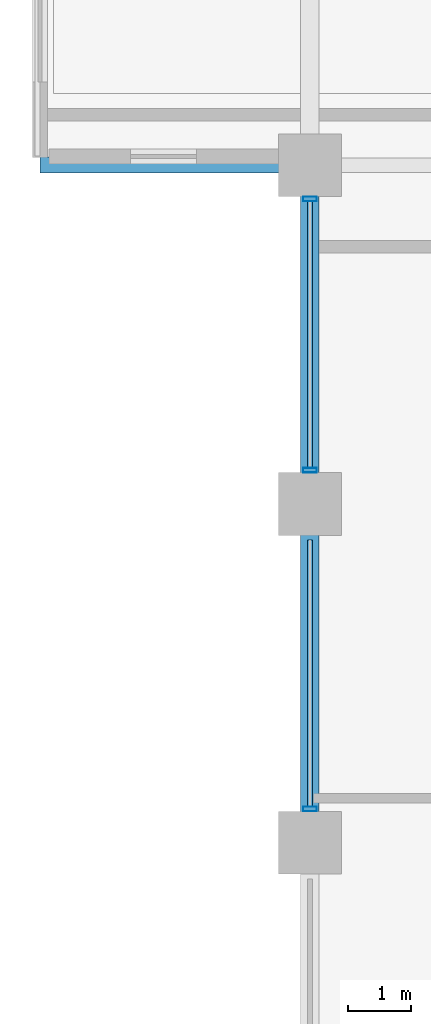
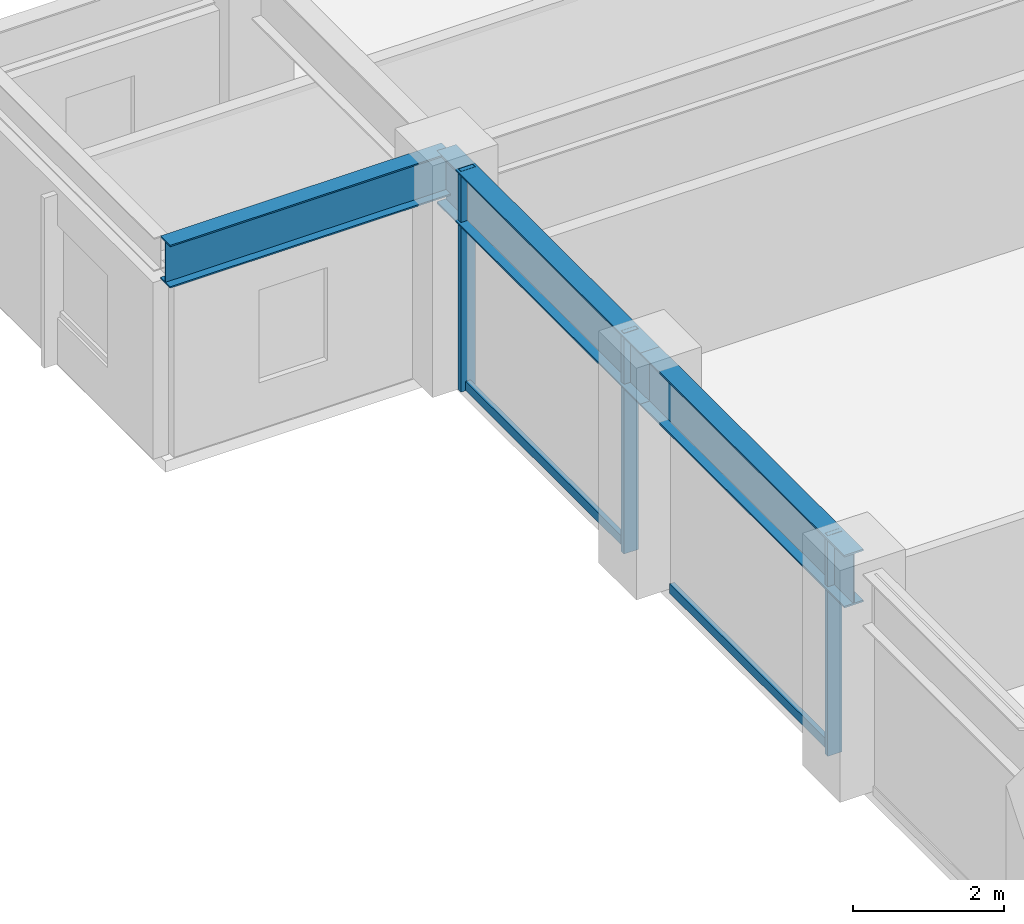
# One storey, part 5 of 29: 5 members, 3 beams, 1 element without a shape of its own.
"""IFC4 building model written with IfcOpenShell, lengths in metres."""

from ifc_helpers import new_model, si_unit, direction, frame, origin, origin_2d, place, context, subcontext, project, spatial, hollow_rectangle, i_section, extrude, material, layer, layer_set, material_profile, profile_set, type_object, element, aggregate, save


model = new_model("IFC4")

# Units and contexts
model_context = context("Model", 3, precision=1e-05, world=origin(), true_north=direction((0.0, 1.0)))
body_context = subcontext(model_context, "Body", "Model", "MODEL_VIEW")
ifc_project = project(units=[si_unit("LENGTHUNIT", "METRE"), si_unit("AREAUNIT", "SQUARE_METRE"), si_unit("VOLUMEUNIT", "CUBIC_METRE"), si_unit("PLANEANGLEUNIT", "RADIAN"), si_unit("MASSUNIT", "GRAM", prefix="KILO")], contexts=[model_context])

# Site, building, storey
site_placement = place(None, origin())
site = spatial("IfcSite", under=ifc_project, at=site_placement, CompositionType="ELEMENT")
building_placement = place(site_placement, origin())
building = spatial("IfcBuilding", under=site, at=building_placement, Name="Surkhivell Harbour Commons", CompositionType="ELEMENT")
storey_placement = place(building_placement, frame((0.0, 0.0, 154.5)))
storey = spatial("IfcBuildingStorey", under=building, at=storey_placement, Name="L40", CompositionType="ELEMENT", Elevation=154.5)

# Beams
ifc_material_1 = material(Name="Steel S460", Category="steel")
ifc_material_profile_1 = material_profile(ifc_material_1, i_section(OverallWidth=0.256103515625, OverallDepth=0.693115234375, WebThickness=0.014404296875, FlangeThickness=0.023681640625, at=origin_2d()), Name="UB686x254x170")
ifc_profile_set_1 = profile_set([ifc_material_profile_1], Name="Steel S460")
beam_type_1 = type_object("IfcBeamType", Name="BM-CNT-686", PredefinedType="BEAM", material=ifc_profile_set_1)
beam_placement = place(storey_placement, frame((-32.39990234375, 5.39990234375, 3.223388671875), z_axis=(-1.0, 0.0, 0.0), x_axis=(0.0, -1.0, 0.0)))
element("IfcBeam", 1, at=beam_placement, inside=storey, type_object=beam_type_1, Name="L40 Box Cantilever Outrigger (-32.4,5.4)", PredefinedType="BEAM", context=body_context, shape_type="SweptSolid", body=[
    extrude(i_section(OverallWidth=0.256103515625, OverallDepth=0.693115234375, WebThickness=0.014404296875, FlangeThickness=0.023681640625, at=origin_2d()), origin(), (0.0, 0.0, 1.0), 4.300048828125),
])
ifc_material_profile_2 = material_profile(ifc_material_1, i_section(OverallWidth=0.2939453125, OverallDepth=0.85107421875, WebThickness=0.01611328125, FlangeThickness=0.02685546875, at=origin_2d()), Name="UB838x292x226")
ifc_profile_set_2 = profile_set([ifc_material_profile_2], Name="Steel S460")
beam_type_2 = type_object("IfcBeamType", Name="BM-SPN-838", PredefinedType="SPANDREL", material=ifc_profile_set_2)
for number, where, z_axis, x_axis, name in (
    (2, (-32.39990234375, -5.39990234375, 3.14453125), (0.0, 1.0, 0.0), (-1.0, 0.0, 0.0), "L40 Tube Spandrel (-32.4,-5.4)"),
    (3, (-32.39990234375, 0.0, 3.14453125), (0.0, 1.0, 0.0), (-1.0, 0.0, 0.0), "L40 Tube Spandrel (-32.4,0.0)"),
):
    element("IfcBeam", number, at=place(storey_placement, frame(where, z_axis=z_axis, x_axis=x_axis)), inside=storey, type_object=beam_type_2, Name=name, PredefinedType="SPANDREL", context=body_context, shape_type="SweptSolid", body=[
        extrude(i_section(OverallWidth=0.2939453125, OverallDepth=0.85107421875, WebThickness=0.01611328125, FlangeThickness=0.02685546875, at=origin_2d()), origin(), (0.0, 0.0, 1.0), 5.39990234375),
    ])

# Curtain wall, members
ifc_material_2 = material(Name="Anodised pale-metal aluminium and insulated glazing", Category="aluminium")
ifc_layer = layer(ifc_material_2, 0.205078125)
ifc_layer_set = layer_set([ifc_layer], Name="Anodised pale-metal aluminium and insulated glazing")
curtain_wall_type = type_object("IfcCurtainWallType", Name="CW-SYS-Z2", PredefinedType="NOTDEFINED", material=ifc_layer_set)
curtain_wall_placement = place(storey_placement, origin())
curtain_wall = element("IfcCurtainWall", 4, at=curtain_wall_placement, inside=storey, type_object=curtain_wall_type, Name="L40 Curtain Wall CW-L40-E12R1S2", PredefinedType="NOTDEFINED")
ifc_material_3 = material(Name="Anodised pale-metal aluminium alloy 6063-T6", Category="aluminium")
ifc_material_profile_3 = material_profile(ifc_material_3, hollow_rectangle(XDim=0.074951171875, YDim=0.219970703125, WallThickness=0.00390625, at=origin_2d()), Name="ALU-MULL-75x220")
ifc_profile_set_3 = profile_set([ifc_material_profile_3], Name="Anodised pale-metal aluminium alloy 6063-T6")
member_type_1 = type_object("IfcMemberType", Name="CWM-220", PredefinedType="MULLION", material=ifc_profile_set_3)
member_1_placement = place(storey_placement, frame((-32.39990234375, -4.860595703125, 0.0), z_axis=(0.0, 0.0, 1.0), x_axis=(0.0, 1.0, 0.0)))
member_1 = element("IfcMember", 5, at=member_1_placement, type_object=member_type_1, Name="CW-Z2 mullion 2", PredefinedType="MULLION", context=body_context, shape_type="SweptSolid", body=[
    extrude(hollow_rectangle(XDim=0.074951171875, YDim=0.219970703125, WallThickness=0.00390625, at=origin_2d()), origin(), (0.0, 0.0, 1.0), 3.570068359375),
])
member_2_placement = place(storey_placement, frame((-32.39990234375, 0.53955078125, 0.0), z_axis=(0.0, 0.0, 1.0), x_axis=(0.0, 1.0, 0.0)))
member_2 = element("IfcMember", 6, at=member_2_placement, type_object=member_type_1, Name="CW-Z2 mullion 3", PredefinedType="MULLION", context=body_context, shape_type="SweptSolid", body=[
    extrude(hollow_rectangle(XDim=0.074951171875, YDim=0.219970703125, WallThickness=0.00390625, at=origin_2d()), origin(), (0.0, 0.0, 1.0), 3.570068359375),
])
member_3_placement = place(storey_placement, frame((-32.39990234375, 4.860595703125, 0.0), z_axis=(0.0, 0.0, 1.0), x_axis=(0.0, 1.0, 0.0)))
member_3 = element("IfcMember", 7, at=member_3_placement, type_object=member_type_1, Name="CW-Z2 mullion 4", PredefinedType="MULLION", context=body_context, shape_type="SweptSolid", body=[
    extrude(hollow_rectangle(XDim=0.074951171875, YDim=0.219970703125, WallThickness=0.00390625, at=origin_2d()), origin(), (0.0, 0.0, 1.0), 3.570068359375),
])
ifc_material_profile_4 = material_profile(ifc_material_3, hollow_rectangle(XDim=0.074951171875, YDim=0.14990234375, WallThickness=0.00341796875, at=origin_2d()), Name="ALU-TRAN-75x150")
ifc_profile_set_4 = profile_set([ifc_material_profile_4], Name="Anodised pale-metal aluminium alloy 6063-T6")
member_type_2 = type_object("IfcMemberType", Name="CWT-150", PredefinedType="USERDEFINED", material=ifc_profile_set_4)
member_4_placement = place(storey_placement, frame((-32.39990234375, -4.822998046875, 0.074951171875), z_axis=(0.0, 1.0, 0.0), x_axis=(-1.0, 0.0, 0.0)))
member_4 = element("IfcMember", 8, at=member_4_placement, type_object=member_type_2, Name="CW-Z2 transom 2.1", ObjectType="TRANSOM", PredefinedType="USERDEFINED", context=body_context, shape_type="SweptSolid", body=[
    extrude(hollow_rectangle(XDim=0.074951171875, YDim=0.14990234375, WallThickness=0.00341796875, at=origin_2d()), origin(), (0.0, 0.0, 1.0), 4.24609375),
])
member_5_placement = place(storey_placement, frame((-32.39990234375, 0.576904296875, 0.074951171875), z_axis=(0.0, 1.0, 0.0), x_axis=(-1.0, 0.0, 0.0)))
member_5 = element("IfcMember", 9, at=member_5_placement, type_object=member_type_2, Name="CW-Z2 transom 3.1", ObjectType="TRANSOM", PredefinedType="USERDEFINED", context=body_context, shape_type="SweptSolid", body=[
    extrude(hollow_rectangle(XDim=0.074951171875, YDim=0.14990234375, WallThickness=0.00341796875, at=origin_2d()), origin(), (0.0, 0.0, 1.0), 4.24609375),
])
aggregate(curtain_wall, [member_1, member_4, member_2, member_3, member_5])

save(model, "model.ifc")
